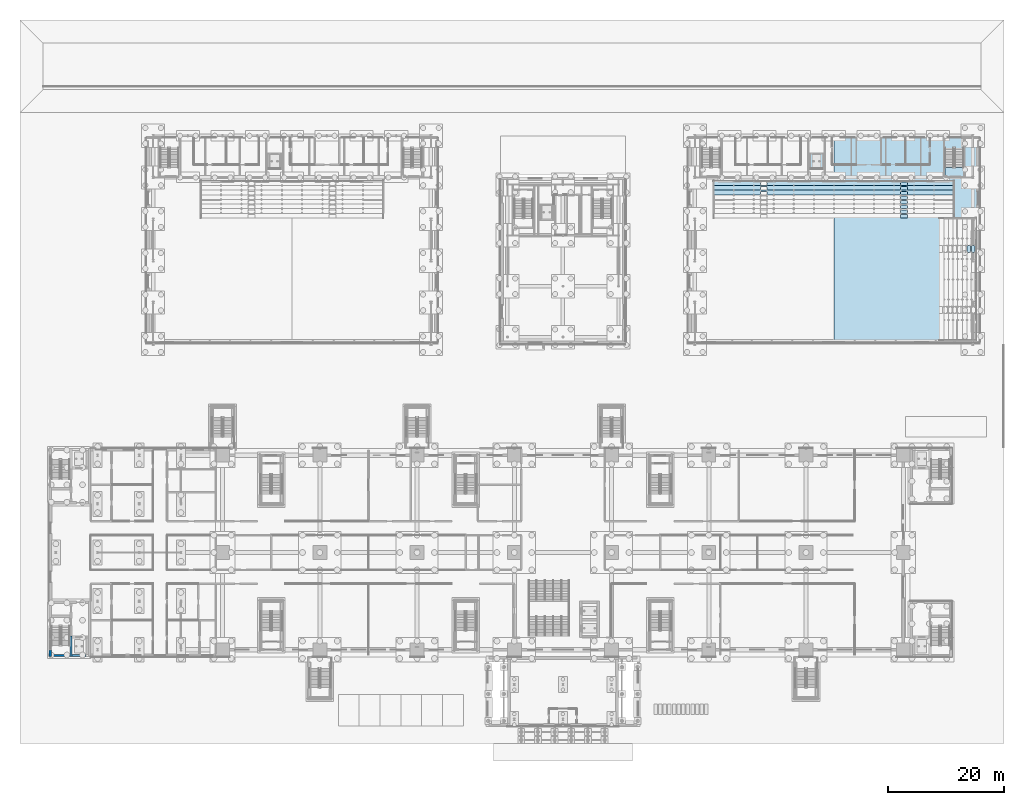
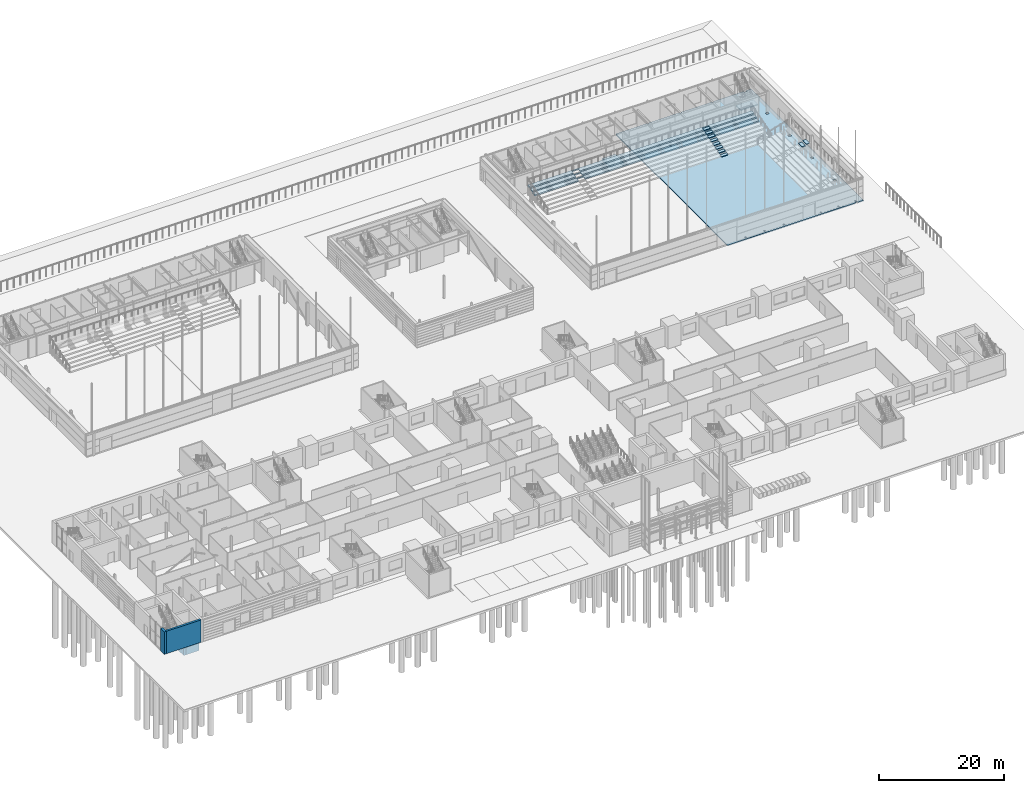
# One storey, part 76 of 139: 16 slabs, 4 walls, 1 element without a shape of its own.
"""IFC4 building model written with IfcOpenShell, lengths in metres."""

import ifcopenshell
import ifcopenshell.guid

model = None  # the IFC model being written
_history = None  # IfcOwnerHistory: only IFC2X3 demands one
_inside = {}  # id of a spatial element -> (the spatial element, [elements in it])
_under = {}  # id of a project, library or spatial element -> (it, [spatial elements below it])
_declared = {}  # id of a project -> (the project, [libraries it declares])
_typed = {}  # id of a type object -> (the type object, [elements of that type])
_made_of = {}  # id of a material, layer set ... -> (it, [elements and type objects made of it])


def new_model(schema):
    """Start an empty IFC model of exactly this schema.

    Asked for "IFC4X3", IfcOpenShell would pick the latest addendum, in which some entities
    have other attributes; the version numbers below select the first issue.
    IFC2X3 requires an IfcOwnerHistory on every rooted entity: one is made here for all.
    """
    global model, _history
    if schema == "IFC4X3":
        model = ifcopenshell.file(schema_version=(4, 3, 0, 0))
    else:
        model = ifcopenshell.file(schema=schema)
    _inside.clear()
    _under.clear()
    _declared.clear()
    _typed.clear()
    _made_of.clear()
    _history = None
    if model.schema == "IFC2X3":
        org = make("IfcOrganization", Name="unknown")
        user = make(
            "IfcPersonAndOrganization",
            ThePerson=make("IfcPerson", FamilyName="unknown"),
            TheOrganization=org,
        )
        app = make(
            "IfcApplication",
            ApplicationDeveloper=org,
            Version="unknown",
            ApplicationFullName="unknown",
            ApplicationIdentifier="unknown",
        )
        _history = make(
            "IfcOwnerHistory",
            OwningUser=user,
            OwningApplication=app,
            ChangeAction="ADDED",
            CreationDate=0,
        )
    return model


def make(cls, **values):
    """One entity of the class cls with the attributes given. An attribute that is None is left unset."""
    return model.create_entity(
        cls, **{name: value for name, value in values.items() if value is not None}
    )


def rooted(cls, **values):
    """An entity with a GlobalId (a new one), such as an element, a storey or a relation."""
    return make(cls, GlobalId=ifcopenshell.guid.new(), OwnerHistory=_history, **values)


def si_unit(unit_type, name, prefix=None):
    """IfcSIUnit, for example si_unit("LENGTHUNIT", "METRE", prefix="MILLI")."""
    return make("IfcSIUnit", UnitType=unit_type, Prefix=prefix, Name=name)


def assignment(units):
    """IfcUnitAssignment: the units of a project."""
    return None if units is None else make("IfcUnitAssignment", Units=units)


def point(xyz):
    """IfcCartesianPoint."""
    return None if xyz is None else make("IfcCartesianPoint", Coordinates=xyz)


def direction(xyz):
    """IfcDirection."""
    return None if xyz is None else make("IfcDirection", DirectionRatios=xyz)


def frame(location, z_axis=None, x_axis=None):
    """IfcAxis2Placement3D, a coordinate frame: its origin and axes. An axis left out is left unset."""
    return make(
        "IfcAxis2Placement3D",
        Location=point(location),
        Axis=direction(z_axis),
        RefDirection=direction(x_axis),
    )


def frame_2d(location, x_axis=None):
    """IfcAxis2Placement2D, a coordinate frame in the plane: its origin and x axis."""
    return make(
        "IfcAxis2Placement2D", Location=point(location), RefDirection=direction(x_axis)
    )


def origin():
    """The frame at (0, 0, 0) with its axes left unset."""
    return frame((0.0, 0.0, 0.0))


def place(relative_to, where):
    """IfcLocalPlacement: puts the frame where relative to a parent placement (None: the world)."""
    return make(
        "IfcLocalPlacement", PlacementRelTo=relative_to, RelativePlacement=where
    )


def context(
    kind, dimensions, precision=None, world=None, true_north=None, identifier=None
):
    """IfcGeometricRepresentationContext, for example the 3D "Model" context."""
    return make(
        "IfcGeometricRepresentationContext",
        ContextIdentifier=identifier,
        ContextType=kind,
        CoordinateSpaceDimension=dimensions,
        Precision=precision,
        WorldCoordinateSystem=world,
        TrueNorth=true_north,
    )


def subcontext(parent, identifier, kind, view, scale=None):
    """IfcGeometricRepresentationSubContext, for example "Body" below "Model"."""
    return make(
        "IfcGeometricRepresentationSubContext",
        ContextIdentifier=identifier,
        ContextType=kind,
        ParentContext=parent,
        TargetScale=scale,
        TargetView=view,
    )


def project(units=None, contexts=None):
    """IfcProject with its units and contexts."""
    return rooted(
        "IfcProject",
        Name="project",
        RepresentationContexts=contexts,
        UnitsInContext=assignment(units),
    )


def spatial(cls, under=None, at=None, **own):
    """A site, building, storey or space (cls), placed at a placement, below another one or the project."""
    s = rooted(cls, ObjectPlacement=at, **own)
    if under is not None:
        _under.setdefault(under.id(), (under, []))[1].append(s)
    return s


def polyline(points):
    """IfcPolyline through the points."""
    return make("IfcPolyline", Points=[point(p) for p in points])


def profile(cls, at=None, kind="AREA", **sizes):
    """A parametric profile (cls). Its sizes go by their IFC names, for example OverallWidth=200.0."""
    return make(cls, ProfileType=kind, Position=at, **sizes)


def rectangle(**sizes):
    """IfcRectangleProfileDef."""
    return profile("IfcRectangleProfileDef", **sizes)


def outline(outer, holes=None, kind="AREA"):
    """IfcArbitraryClosedProfileDef: a profile drawn as a closed curve; with holes, ...WithVoids."""
    if holes is None:
        return make("IfcArbitraryClosedProfileDef", ProfileType=kind, OuterCurve=outer)
    return make(
        "IfcArbitraryProfileDefWithVoids",
        ProfileType=kind,
        OuterCurve=outer,
        InnerCurves=holes,
    )


def extrude(swept, where, along, depth):
    """IfcExtrudedAreaSolid: the profile swept, set in the frame where, extruded along a direction by depth."""
    return make(
        "IfcExtrudedAreaSolid",
        SweptArea=swept,
        Position=where,
        ExtrudedDirection=direction(along),
        Depth=depth,
    )


def shape(context_of_items, identifier, shape_type, items):
    """IfcShapeRepresentation: the items that make up one representation, for example the "Body"."""
    return make(
        "IfcShapeRepresentation",
        ContextOfItems=context_of_items,
        RepresentationIdentifier=identifier,
        RepresentationType=shape_type,
        Items=items,
    )


def material(Name=None, Category=None):
    """IfcMaterial."""
    return make("IfcMaterial", Name=Name, Category=Category)


def layer(
    of_material, thickness, ventilated=None, Name=None, Category=None, Priority=None
):
    """IfcMaterialLayer: one layer of a wall or slab, of a material (None: an air gap)."""
    return make(
        "IfcMaterialLayer",
        Material=of_material,
        LayerThickness=thickness,
        IsVentilated=ventilated,
        Name=Name,
        Category=Category,
        Priority=Priority,
    )


def layer_set(layers, Name=None):
    """IfcMaterialLayerSet."""
    return make("IfcMaterialLayerSet", MaterialLayers=layers, LayerSetName=Name)


def made_of(thing, what):
    """Note that an element or type object is made of a material, layer set ...; save() writes the relation."""
    if what is not None:
        _made_of.setdefault(what.id(), (what, []))[1].append(thing)
    return thing


def type_object(cls, material=None, **own):
    """A type object (cls), such as IfcWallType, which elements share."""
    return made_of(rooted(cls, **own), material)


def element(
    cls,
    number,
    at=None,
    inside=None,
    cuts=None,
    type_object=None,
    material=None,
    context=None,
    identifier="Body",
    shape_type=None,
    held_by="IfcProductDefinitionShape",
    body=None,
    shapes=None,
    **own,
):
    """One element of the class cls, such as IfcWall. Its Tag is "e" and its number.

    at: its placement. inside: the storey or other place that contains it. cuts: it is an
    opening in that element (IfcRelVoidsElement). A single representation is given by context,
    identifier, shape_type and body (its items); several are given by shapes. held_by: the class
    of the entity that holds the representations. save() writes the other relations.
    """
    e = rooted(cls, Tag="e%d" % number, ObjectPlacement=at, **own)
    if body is not None:
        shapes = [shape(context, identifier, shape_type, body)]
    if shapes is not None:
        e.Representation = make(held_by, Representations=shapes)
    if inside is not None:
        _inside.setdefault(inside.id(), (inside, []))[1].append(e)
    if cuts is not None:
        rooted(
            "IfcRelVoidsElement", RelatingBuildingElement=cuts, RelatedOpeningElement=e
        )
    if type_object is not None:
        _typed.setdefault(type_object.id(), (type_object, []))[1].append(e)
    return made_of(e, material)


def aggregate(whole, parts):
    """IfcRelAggregates: a whole, such as a stair, and the parts it consists of."""
    return rooted("IfcRelAggregates", RelatingObject=whole, RelatedObjects=parts)


def save(model, path):
    """Write the relations noted so far, then the file.

    IfcRelAggregates (storeys below a building ...), IfcRelContainedInSpatialStructure (elements
    in a storey), IfcRelDefinesByType, IfcRelAssociatesMaterial and IfcRelDeclares: one each for
    every whole, place, type object, material and project.
    """
    for whole, parts in _under.values():
        aggregate(whole, parts)
    for where, things in _inside.values():
        rooted(
            "IfcRelContainedInSpatialStructure",
            RelatedElements=things,
            RelatingStructure=where,
        )
    for kind, things in _typed.values():
        rooted("IfcRelDefinesByType", RelatedObjects=things, RelatingType=kind)
    for what, things in _made_of.values():
        rooted("IfcRelAssociatesMaterial", RelatedObjects=things, RelatingMaterial=what)
    for by, libraries in _declared.values():
        rooted("IfcRelDeclares", RelatingContext=by, RelatedDefinitions=libraries)
    model.write(path)


model = new_model("IFC4")

# Units and contexts
model_context = context("Model", 3, precision=1e-05, world=origin(), true_north=direction((0.0, 1.0)))
body_context = subcontext(model_context, "Body", "Model", "MODEL_VIEW")
ifc_project = project(units=[si_unit("LENGTHUNIT", "METRE"), si_unit("AREAUNIT", "SQUARE_METRE"), si_unit("VOLUMEUNIT", "CUBIC_METRE"), si_unit("PLANEANGLEUNIT", "RADIAN"), si_unit("MASSUNIT", "GRAM", prefix="KILO")], contexts=[model_context])

# Site, building, storey
site_placement = place(None, origin())
site = spatial("IfcSite", under=ifc_project, at=site_placement, CompositionType="ELEMENT")
building_placement = place(site_placement, origin())
building = spatial("IfcBuilding", under=site, at=building_placement, Name="Verrick Yard Athletic Hall", CompositionType="ELEMENT")
storey_placement = place(building_placement, origin())
storey = spatial("IfcBuildingStorey", under=building, at=storey_placement, Name="L00", CompositionType="ELEMENT", Elevation=0.0)

# Slabs
ifc_material = material(Name="Concrete 35 MPa", Category="concrete")
ifc_layer_1 = layer(ifc_material, 0.199951171875)
ifc_layer_set_1 = layer_set([ifc_layer_1], Name="HB ground slab 200")
slab_type_1 = type_object("IfcSlabType", Name="HB ground slab 200", PredefinedType="BASESLAB", material=ifc_layer_set_1)
slab_1_placement = place(storey_placement, frame((0.0, 0.0, -0.199951171875)))
element("IfcSlab", 1, at=slab_1_placement, inside=storey, type_object=slab_type_1, Name="HB-SL-A-G2", PredefinedType="BASESLAB", context=body_context, shape_type="SweptSolid", body=[
    extrude(outline(polyline([(170.800048828125, 108.0), (170.800048828125, 72.0), (169.83447265625, 72.0), (169.83447265625, 72.22802734375), (169.365478515625, 72.22802734375), (169.365478515625, 72.0), (145.625, 72.0), (145.625, 100.594970703125), (145.75244140625, 100.594970703125), (145.75244140625, 101.0048828125), (145.625, 101.0048828125), (145.625, 107.794921875), (145.75244140625, 107.794921875), (145.75244140625, 108.0), (151.447509765625, 108.0), (151.447509765625, 107.794921875), (151.75244140625, 107.794921875), (151.75244140625, 108.0), (157.447509765625, 108.0), (157.447509765625, 107.794921875), (157.75244140625, 107.794921875), (157.75244140625, 108.0), (163.447509765625, 108.0), (163.447509765625, 107.794921875), (163.75244140625, 107.794921875), (163.75244140625, 108.0), (169.365478515625, 108.0), (169.365478515625, 107.77197265625), (169.83447265625, 107.77197265625), (169.83447265625, 108.0), (170.800048828125, 108.0)]), holes=[polyline([(149.32958984375, 72.620849609375), (149.0771484375, 72.620849609375), (149.0771484375, 72.368408203125), (149.32958984375, 72.368408203125), (149.32958984375, 72.620849609375)]), polyline([(152.91064453125, 72.620849609375), (152.658203125, 72.620849609375), (152.658203125, 72.368408203125), (152.91064453125, 72.368408203125), (152.91064453125, 72.620849609375)]), polyline([(156.447509765625, 72.620849609375), (156.1953125, 72.620849609375), (156.1953125, 72.368408203125), (156.447509765625, 72.368408203125), (156.447509765625, 72.620849609375)]), polyline([(163.302490234375, 72.368408203125), (163.302490234375, 72.620849609375), (163.05029296875, 72.620849609375), (163.05029296875, 72.368408203125), (163.302490234375, 72.368408203125)]), polyline([(151.75244140625, 101.0048828125), (151.447509765625, 101.0048828125), (151.447509765625, 100.594970703125), (151.75244140625, 100.594970703125), (151.75244140625, 101.0048828125)]), polyline([(157.75244140625, 101.0048828125), (157.447509765625, 101.0048828125), (157.447509765625, 100.594970703125), (157.75244140625, 100.594970703125), (157.75244140625, 101.0048828125)]), polyline([(166.578369140625, 72.620849609375), (166.326171875, 72.620849609375), (166.326171875, 72.368408203125), (166.578369140625, 72.368408203125), (166.578369140625, 72.620849609375)]), polyline([(169.726318359375, 72.620849609375), (169.473876953125, 72.620849609375), (169.473876953125, 72.368408203125), (169.726318359375, 72.368408203125), (169.726318359375, 72.620849609375)]), polyline([(169.83447265625, 78.971923828125), (169.83447265625, 79.427978515625), (169.365478515625, 79.427978515625), (169.365478515625, 78.971923828125), (169.83447265625, 78.971923828125)]), polyline([(169.83447265625, 86.172119140625), (169.83447265625, 86.6279296875), (169.365478515625, 86.6279296875), (169.365478515625, 86.172119140625), (169.83447265625, 86.172119140625)]), polyline([(169.83447265625, 93.827880859375), (169.365478515625, 93.827880859375), (169.365478515625, 93.3720703125), (169.83447265625, 93.3720703125), (169.83447265625, 93.827880859375)]), polyline([(163.75244140625, 101.0048828125), (163.447509765625, 101.0048828125), (163.447509765625, 100.594970703125), (163.75244140625, 100.594970703125), (163.75244140625, 101.0048828125)]), polyline([(169.83447265625, 101.028076171875), (169.365478515625, 101.028076171875), (169.365478515625, 100.572021484375), (169.83447265625, 100.572021484375), (169.83447265625, 101.028076171875)])]), origin(), (0.0, 0.0, 1.0), 0.199951171875),
])
ifc_layer_2 = layer(ifc_material, 0.125)
ifc_layer_set_2 = layer_set([ifc_layer_2], Name="HB seating aisle step 125")
slab_type_2 = type_object("IfcSlabType", Name="HB seating aisle step 125", PredefinedType="FLOOR", material=ifc_layer_set_2)
slab_2_placement = place(storey_placement, origin())
element("IfcSlab", 2, at=slab_2_placement, inside=storey, type_object=slab_type_2, Name="Aisle step RSA1 aisle 2 row 1", PredefinedType="FLOOR", context=body_context, shape_type="SweptSolid", body=[
    extrude(outline(polyline([(157.103759765625, 93.800048828125), (158.3037109375, 93.800048828125), (158.3037109375, 94.39990234375), (157.103759765625, 94.39990234375), (157.103759765625, 93.800048828125)])), origin(), (0.0, 0.0, 1.0), 0.125),
])
slab_3_placement = place(storey_placement, frame((0.0, 0.0, 0.25)))
element("IfcSlab", 3, at=slab_3_placement, inside=storey, type_object=slab_type_2, Name="Aisle step RSA1 aisle 2 row 2", PredefinedType="FLOOR", context=body_context, shape_type="SweptSolid", body=[
    extrude(outline(polyline([(157.103759765625, 94.60009765625), (158.3037109375, 94.60009765625), (158.3037109375, 95.199951171875), (157.103759765625, 95.199951171875), (157.103759765625, 94.60009765625)])), origin(), (0.0, 0.0, 1.0), 0.125),
])
slab_4_placement = place(storey_placement, frame((0.0, 0.0, 0.5)))
element("IfcSlab", 4, at=slab_4_placement, inside=storey, type_object=slab_type_2, Name="Aisle step RSA1 aisle 2 row 3", PredefinedType="FLOOR", context=body_context, shape_type="SweptSolid", body=[
    extrude(outline(polyline([(157.103759765625, 95.39990234375), (158.3037109375, 95.39990234375), (158.3037109375, 96.0), (157.103759765625, 96.0), (157.103759765625, 95.39990234375)])), origin(), (0.0, 0.0, 1.0), 0.125),
])
slab_5_placement = place(storey_placement, frame((0.0, 0.0, 0.75)))
element("IfcSlab", 5, at=slab_5_placement, inside=storey, type_object=slab_type_2, Name="Aisle step RSA1 aisle 2 row 4", PredefinedType="FLOOR", context=body_context, shape_type="SweptSolid", body=[
    extrude(outline(polyline([(157.103759765625, 96.199951171875), (158.3037109375, 96.199951171875), (158.3037109375, 96.800048828125), (157.103759765625, 96.800048828125), (157.103759765625, 96.199951171875)])), origin(), (0.0, 0.0, 1.0), 0.125),
])
slab_6_placement = place(storey_placement, frame((0.0, 0.0, 1.0)))
element("IfcSlab", 6, at=slab_6_placement, inside=storey, type_object=slab_type_2, Name="Aisle step RSA1 aisle 2 row 5", PredefinedType="FLOOR", context=body_context, shape_type="SweptSolid", body=[
    extrude(outline(polyline([(157.103759765625, 97.0), (158.3037109375, 97.0), (158.3037109375, 97.60009765625), (157.103759765625, 97.60009765625), (157.103759765625, 97.0)])), origin(), (0.0, 0.0, 1.0), 0.125),
])
slab_7_placement = place(storey_placement, frame((0.0, 0.0, 1.25)))
element("IfcSlab", 7, at=slab_7_placement, inside=storey, type_object=slab_type_2, Name="Aisle step RSA1 aisle 2 row 6", PredefinedType="FLOOR", context=body_context, shape_type="SweptSolid", body=[
    extrude(outline(polyline([(157.103759765625, 97.800048828125), (158.3037109375, 97.800048828125), (158.3037109375, 98.39990234375), (157.103759765625, 98.39990234375), (157.103759765625, 97.800048828125)])), origin(), (0.0, 0.0, 1.0), 0.125),
])
slab_8_placement = place(storey_placement, frame((0.0, 0.0, 1.5)))
element("IfcSlab", 8, at=slab_8_placement, inside=storey, type_object=slab_type_2, Name="Aisle step RSA1 aisle 2 row 7", PredefinedType="FLOOR", context=body_context, shape_type="SweptSolid", body=[
    extrude(outline(polyline([(157.103759765625, 98.60009765625), (158.3037109375, 98.60009765625), (158.3037109375, 99.199951171875), (157.103759765625, 99.199951171875), (157.103759765625, 98.60009765625)])), origin(), (0.0, 0.0, 1.0), 0.125),
])
slab_9_placement = place(storey_placement, frame((0.0, 0.0, 1.75)))
element("IfcSlab", 9, at=slab_9_placement, inside=storey, type_object=slab_type_2, Name="Aisle step RSA1 aisle 2 row 8", PredefinedType="FLOOR", context=body_context, shape_type="SweptSolid", body=[
    extrude(outline(polyline([(157.103759765625, 99.39990234375), (158.3037109375, 99.39990234375), (158.3037109375, 100.0), (157.103759765625, 100.0), (157.103759765625, 99.39990234375)])), origin(), (0.0, 0.0, 1.0), 0.125),
])
slab_10_placement = place(storey_placement, frame((0.0, 0.0, 1.5)))
element("IfcSlab", 10, at=slab_10_placement, inside=storey, type_object=slab_type_2, Name="Aisle step RSA2 aisle 2 row 7", PredefinedType="FLOOR", context=body_context, shape_type="SweptSolid", body=[
    extrude(outline(polyline([(169.199951171875, 87.87451171875), (169.199951171875, 89.07470703125), (168.60009765625, 89.07470703125), (168.60009765625, 87.87451171875), (169.199951171875, 87.87451171875)])), origin(), (0.0, 0.0, 1.0), 0.125),
])
slab_11_placement = place(storey_placement, frame((0.0, 0.0, 1.75)))
element("IfcSlab", 11, at=slab_11_placement, inside=storey, type_object=slab_type_2, Name="Aisle step RSA2 aisle 2 row 8", PredefinedType="FLOOR", context=body_context, shape_type="SweptSolid", body=[
    extrude(outline(polyline([(170.0, 87.87451171875), (170.0, 89.07470703125), (169.39990234375, 89.07470703125), (169.39990234375, 87.87451171875), (170.0, 87.87451171875)])), origin(), (0.0, 0.0, 1.0), 0.125),
])
ifc_layer_3 = layer(ifc_material, 0.25)
ifc_layer_set_3 = layer_set([ifc_layer_3], Name="HB seating tier 250")
slab_type_3 = type_object("IfcSlabType", Name="HB seating tier 250", PredefinedType="FLOOR", material=ifc_layer_set_3)
slab_12_placement = place(storey_placement, frame((0.0, 0.0, 1.25)))
element("IfcSlab", 12, at=slab_12_placement, inside=storey, type_object=slab_type_3, Name="Retractable seating tier RSA1 row 6", PredefinedType="FLOOR", context=body_context, shape_type="SweptSolid", body=[
    extrude(outline(polyline([(124.800048828125, 97.800048828125), (132.896240234375, 97.800048828125), (132.896240234375, 98.39990234375), (134.09619140625, 98.39990234375), (134.09619140625, 97.800048828125), (157.103759765625, 97.800048828125), (157.103759765625, 98.39990234375), (158.3037109375, 98.39990234375), (158.3037109375, 97.800048828125), (166.39990234375, 97.800048828125), (166.39990234375, 98.60009765625), (124.800048828125, 98.60009765625), (124.800048828125, 97.800048828125)])), origin(), (0.0, 0.0, 1.0), 0.25),
])
slab_13_placement = place(storey_placement, frame((0.0, 0.0, 1.5)))
element("IfcSlab", 13, at=slab_13_placement, inside=storey, type_object=slab_type_3, Name="Retractable seating tier RSA1 row 7", PredefinedType="FLOOR", context=body_context, shape_type="SweptSolid", body=[
    extrude(outline(polyline([(124.800048828125, 98.60009765625), (132.896240234375, 98.60009765625), (132.896240234375, 99.199951171875), (134.09619140625, 99.199951171875), (134.09619140625, 98.60009765625), (157.103759765625, 98.60009765625), (157.103759765625, 99.199951171875), (158.3037109375, 99.199951171875), (158.3037109375, 98.60009765625), (166.39990234375, 98.60009765625), (166.39990234375, 99.39990234375), (124.800048828125, 99.39990234375), (124.800048828125, 98.60009765625)])), origin(), (0.0, 0.0, 1.0), 0.25),
])
slab_14_placement = place(storey_placement, frame((0.0, 0.0, 1.75)))
element("IfcSlab", 14, at=slab_14_placement, inside=storey, type_object=slab_type_3, Name="Retractable seating tier RSA1 row 8", PredefinedType="FLOOR", context=body_context, shape_type="SweptSolid", body=[
    extrude(outline(polyline([(124.800048828125, 99.39990234375), (132.896240234375, 99.39990234375), (132.896240234375, 100.0), (134.09619140625, 100.0), (134.09619140625, 99.39990234375), (157.103759765625, 99.39990234375), (157.103759765625, 100.0), (158.3037109375, 100.0), (158.3037109375, 99.39990234375), (166.39990234375, 99.39990234375), (166.39990234375, 100.199951171875), (124.800048828125, 100.199951171875), (124.800048828125, 99.39990234375)])), origin(), (0.0, 0.0, 1.0), 0.25),
])
ifc_layer_4 = layer(ifc_material, 0.300048828125)
ifc_layer_set_4 = layer_set([ifc_layer_4], Name="Lift pit slab 300")
slab_type_4 = type_object("IfcSlabType", Name="Lift pit slab 300", PredefinedType="BASESLAB", material=ifc_layer_set_4)
slab_15_placement = place(storey_placement, frame((0.0, 0.0, -1.800048828125)))
element("IfcSlab", 15, at=slab_15_placement, inside=storey, type_object=slab_type_4, Name="CORE-LF-HA-PIT", PredefinedType="BASESLAB", context=body_context, shape_type="SweptSolid", body=[
    extrude(outline(polyline([(141.39990234375, 102.199951171875), (143.800048828125, 102.199951171875), (143.800048828125, 105.0), (141.39990234375, 105.0), (141.39990234375, 102.199951171875)])), origin(), (0.0, 0.0, 1.0), 0.300048828125),
])

# Stair, slab
stair_type = type_object("IfcStairType", Name="Stair ST1 1500 wide 26 risers", PredefinedType="HALF_TURN_STAIR", material=ifc_material)
stair_placement = place(storey_placement, origin())
stair = element("IfcStair", 16, at=stair_placement, inside=storey, type_object=stair_type, Name="Sports Hall A east band stair L00", PredefinedType="HALF_TURN_STAIR")
ifc_layer_5 = layer(ifc_material, 0.199951171875)
ifc_layer_set_5 = layer_set([ifc_layer_5], Name="Stair landing slab 200")
slab_type_5 = type_object("IfcSlabType", Name="Stair landing slab 200", PredefinedType="LANDING", material=ifc_layer_set_5)
slab_16_placement = place(storey_placement, frame((0.0, 0.0, 2.0)))
slab_16 = element("IfcSlab", 17, at=slab_16_placement, type_object=slab_type_5, Name="ST1 landing 1", PredefinedType="LANDING", context=body_context, shape_type="SweptSolid", body=[
    extrude(outline(polyline([(164.800048828125, 102.514892578125), (164.800048828125, 101.0), (168.0, 101.0), (168.0, 102.514892578125), (164.800048828125, 102.514892578125)])), origin(), (0.0, 0.0, 1.0), 0.199951171875),
])
aggregate(stair, [slab_16])

# Walls
ifc_layer_6 = layer(ifc_material, 0.39990234375)
ifc_layer_set_6 = layer_set([ifc_layer_6], Name="Core wall CR400")
wall_type_1 = type_object("IfcWallType", Name="Core wall CR400", PredefinedType="SHEAR", material=ifc_layer_set_6)
wall_1_placement = place(storey_placement, frame((13.800048828125, 18.0, -1.5), z_axis=(0.0, 0.0, 1.0), x_axis=(0.0, 1.0, 0.0)))
element("IfcWall", 18, at=wall_1_placement, inside=storey, type_object=wall_type_1, Name="CORE-LF-CB1-PWW", PredefinedType="SHEAR", context=body_context, shape_type="SweptSolid", body=[
    extrude(rectangle(XDim=3.60009765625, YDim=0.39990234375, at=frame_2d((1.800048828125, 0.0))), origin(), (0.0, 0.0, 1.0), 1.5),
])
wall_2_placement = place(storey_placement, frame((14.0, 18.199951171875, -1.5), z_axis=(0.0, 0.0, 1.0), x_axis=(1.0, 0.0, 0.0)))
element("IfcWall", 19, at=wall_2_placement, inside=storey, type_object=wall_type_1, Name="CORE-LF-CB1-PWS", PredefinedType="SHEAR", context=body_context, shape_type="SweptSolid", body=[
    extrude(rectangle(XDim=2.39990234375, YDim=0.39990234375, at=frame_2d((1.199951171875, 0.0))), origin(), (0.0, 0.0, 1.0), 1.5),
])
ifc_layer_7 = layer(ifc_material, 0.39990234375)
ifc_layer_set_7 = layer_set([ifc_layer_7], Name="External core wall CR400")
wall_type_2 = type_object("IfcWallType", Name="External core wall CR400", PredefinedType="SHEAR", material=ifc_layer_set_7)
wall_3_placement = place(storey_placement, frame((10.199951171875, 18.0, 0.0), z_axis=(0.0, 0.0, 1.0), x_axis=(0.0, 1.0, 0.0)))
element("IfcWall", 20, at=wall_3_placement, inside=storey, type_object=wall_type_2, Name="CORE-CB1-WW-L00-0", PredefinedType="SHEAR", context=body_context, shape_type="SweptSolid", body=[
    extrude(rectangle(XDim=1.199951171875, YDim=0.39990234375, at=frame_2d((0.60009765625, 0.0))), origin(), (0.0, 0.0, 1.0), 4.39990234375),
])
wall_4_placement = place(storey_placement, frame((10.39990234375, 18.199951171875, 0.0), z_axis=(0.0, 0.0, 1.0), x_axis=(1.0, 0.0, 0.0)))
element("IfcWall", 21, at=wall_4_placement, inside=storey, type_object=wall_type_2, Name="CORE-CB1-WS-L00", PredefinedType="SHEAR", context=body_context, shape_type="SweptSolid", body=[
    extrude(rectangle(XDim=6.400146484375, YDim=0.39990234375, at=frame_2d((3.2001953125, 0.0))), origin(), (0.0, 0.0, 1.0), 4.39990234375),
])

save(model, "model.ifc")
